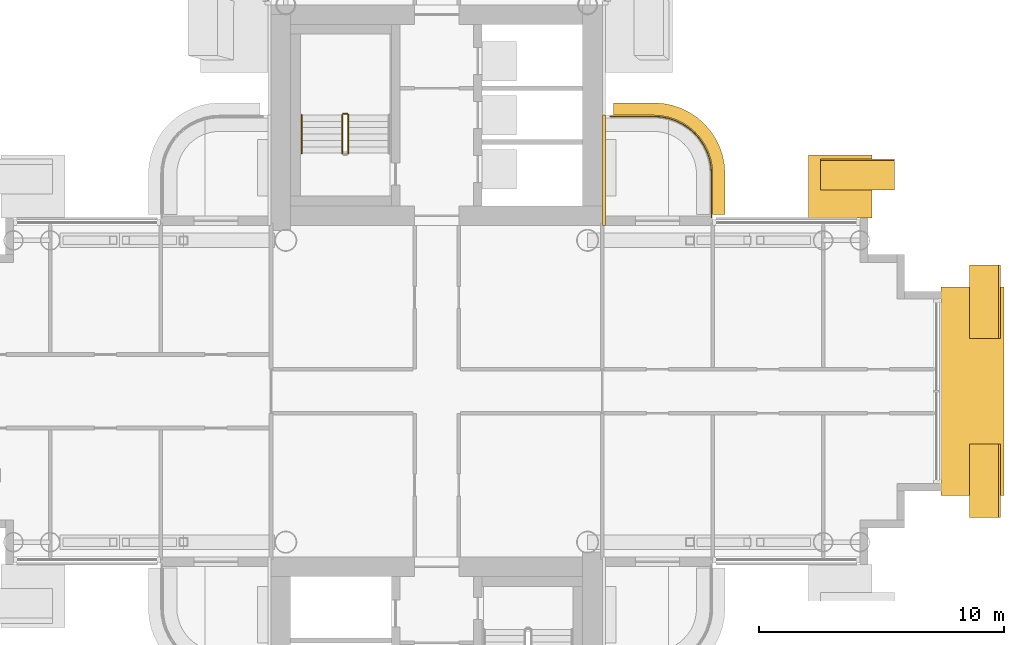
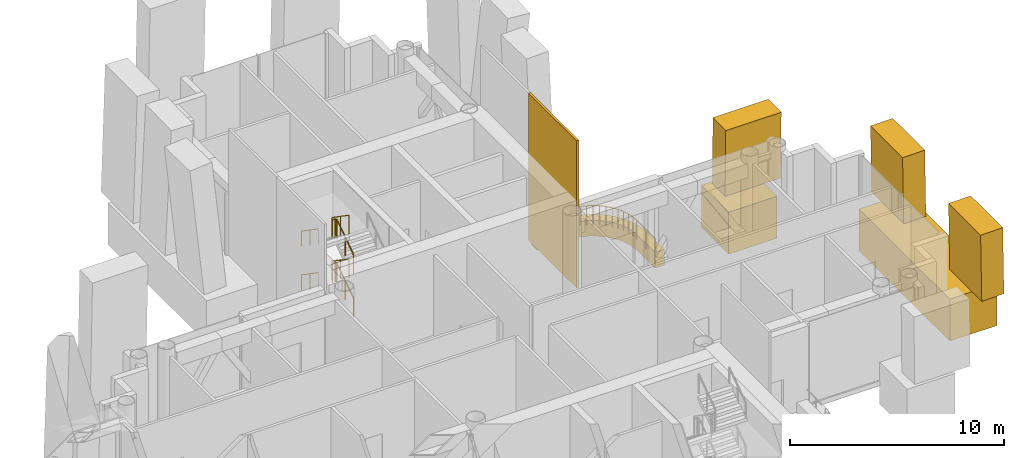
# One storey, part 31 of 34: 9 railings, 7 coverings.
"""IFC4 building model written with IfcOpenShell, lengths in metres."""

from ifc_helpers import new_model, si_unit, direction, frame, origin, origin_2d, place, context, subcontext, project, spatial, polyline, rectangle, circle, outline, extrude, material, layer, layer_set, material_profile, profile_set, type_object, element, save


model = new_model("IFC4")

# Units and contexts
model_context = context("Model", 3, precision=1e-05, world=origin(), true_north=direction((0.0, 1.0)))
body_context = subcontext(model_context, "Body", "Model", "MODEL_VIEW")
ifc_project = project(units=[si_unit("LENGTHUNIT", "METRE"), si_unit("AREAUNIT", "SQUARE_METRE"), si_unit("VOLUMEUNIT", "CUBIC_METRE"), si_unit("PLANEANGLEUNIT", "RADIAN"), si_unit("MASSUNIT", "GRAM", prefix="KILO")], contexts=[model_context])

# Site, building, storey
site_placement = place(None, origin())
site = spatial("IfcSite", under=ifc_project, at=site_placement, CompositionType="ELEMENT")
building_placement = place(site_placement, origin())
building = spatial("IfcBuilding", under=site, at=building_placement, Name="Ipe Terrace Towers", CompositionType="ELEMENT")
storey_placement = place(building_placement, frame((0.0, 0.0, 128.699951171875)))
storey = spatial("IfcBuildingStorey", under=building, at=storey_placement, Name="L35", CompositionType="ELEMENT", Elevation=128.699951171875)

# Railing
ifc_material_1 = material(Name="Stainless steel S316", Category="steel")
railing_type_1 = type_object("IfcRailingType", Name="GUARD 1100", PredefinedType="BALUSTRADE", material=ifc_material_1)
railing_1_placement = place(storey_placement, frame((47.199951171875, 7.070068359375, -0.02001953125)))
element("IfcRailing", 1, at=railing_1_placement, inside=storey, type_object=railing_type_1, Name="guard", PredefinedType="BALUSTRADE", context=body_context, shape_type="SweptSolid", body=[
    extrude(circle(Radius=0.02392578125, at=origin_2d()), frame((0.0, 0.0, 1.076171875), z_axis=(0.0, 1.0, 0.0), x_axis=(-1.0, 0.0, 0.0)), (0.0, 0.0, 1.0), 1.77783203125),
    extrude(circle(Radius=0.02392578125, at=origin_2d()), frame((0.0, 1.77783203125, 1.076171875), z_axis=(-0.064635492184, 0.99790894031, 0.0), x_axis=(-0.99790894031, -0.064635492184, 0.0)), (0.0, 0.0, 1.0), 0.309814453125),
    extrude(circle(Radius=0.02392578125, at=origin_2d()), frame((-0.02001953125, 2.0869140625, 1.076171875), z_axis=(-0.194892169718, 0.980824674538, 0.0), x_axis=(-0.980824674538, -0.194892169718, 0.0)), (0.0, 0.0, 1.0), 0.306884765625),
    extrude(circle(Radius=0.02392578125, at=origin_2d()), frame((-0.079833984375, 2.387939453125, 1.076171875), z_axis=(-0.322415209212, 0.946598348228, 0.0), x_axis=(-0.946598348228, -0.322415209212, 0.0)), (0.0, 0.0, 1.0), 0.307373046875),
    extrude(circle(Radius=0.02392578125, at=origin_2d()), frame((-0.178955078125, 2.678955078125, 1.076171875), z_axis=(-0.44212629539, 0.896952807524, 0.0), x_axis=(-0.896952807524, -0.44212629539, 0.0)), (0.0, 0.0, 1.0), 0.3076171875),
    extrude(circle(Radius=0.02392578125, at=origin_2d()), frame((-0.31494140625, 2.954833984375, 1.076171875), z_axis=(-0.555066120228, 0.831806228742, 0.0), x_axis=(-0.831806228742, -0.555066120228, 0.0)), (0.0, 0.0, 1.0), 0.307861328125),
    extrude(circle(Radius=0.02392578125, at=origin_2d()), frame((-0.48583984375, 3.2109375, 1.076171875), z_axis=(-0.658617227954, 0.752478137252, 0.0), x_axis=(-0.752478137252, -0.658617227954, 0.0)), (0.0, 0.0, 1.0), 0.306884765625),
    extrude(circle(Radius=0.02392578125, at=origin_2d()), frame((-0.68798828125, 3.44189453125, 1.076171875), z_axis=(-0.752478137252, 0.658617227954, 0.0), x_axis=(-0.658617227954, -0.752478137252, 0.0)), (0.0, 0.0, 1.0), 0.306884765625),
    extrude(circle(Radius=0.02392578125, at=origin_2d()), frame((-0.9189453125, 3.64404296875, 1.076171875), z_axis=(-0.831806228742, 0.555066120228, 0.0), x_axis=(-0.555066120228, -0.831806228742, 0.0)), (0.0, 0.0, 1.0), 0.307861328125),
    extrude(circle(Radius=0.02392578125, at=origin_2d()), frame((-1.175048828125, 3.81494140625, 1.076171875), z_axis=(-0.896952807524, 0.44212629539, 0.0), x_axis=(-0.44212629539, -0.896952807524, 0.0)), (0.0, 0.0, 1.0), 0.3076171875),
    extrude(circle(Radius=0.02392578125, at=origin_2d()), frame((-1.450927734375, 3.950927734375, 1.076171875), z_axis=(-0.946598348228, 0.322415209212, 0.0), x_axis=(-0.322415209212, -0.946598348228, 0.0)), (0.0, 0.0, 1.0), 0.307373046875),
    extrude(circle(Radius=0.02392578125, at=origin_2d()), frame((-1.741943359375, 4.050048828125, 1.076171875), z_axis=(-0.980824674538, 0.194892169718, 0.0), x_axis=(-0.194892169718, -0.980824674538, 0.0)), (0.0, 0.0, 1.0), 0.306884765625),
    extrude(circle(Radius=0.02392578125, at=origin_2d()), frame((-2.04296875, 4.10986328125, 1.076171875), z_axis=(-0.99790894031, 0.064635492184, 0.0), x_axis=(-0.064635492184, -0.99790894031, 0.0)), (0.0, 0.0, 1.0), 0.309814453125),
    extrude(circle(Radius=0.02392578125, at=origin_2d()), frame((-2.35205078125, 4.1298828125, 1.076171875), z_axis=(-1.0, 0.0, 0.0), x_axis=(0.0, -1.0, 0.0)), (0.0, 0.0, 1.0), 1.77783203125),
    extrude(circle(Radius=0.02099609375, at=origin_2d()), origin(), (0.0, 0.0, 1.0), 1.052001953125),
    extrude(circle(Radius=0.02099609375, at=origin_2d()), frame((0.0, 0.888916015625, 0.0)), (0.0, 0.0, 1.0), 1.052001953125),
    extrude(circle(Radius=0.02099609375, at=origin_2d()), frame((0.0, 1.77783203125, 0.0)), (0.0, 0.0, 1.0), 1.052001953125),
    extrude(circle(Radius=0.02099609375, at=origin_2d()), frame((-0.02001953125, 2.0869140625, 0.0)), (0.0, 0.0, 1.0), 1.052001953125),
    extrude(circle(Radius=0.02099609375, at=origin_2d()), frame((-0.079833984375, 2.387939453125, 0.0)), (0.0, 0.0, 1.0), 1.052001953125),
    extrude(circle(Radius=0.02099609375, at=origin_2d()), frame((-0.178955078125, 2.678955078125, 0.0)), (0.0, 0.0, 1.0), 1.052001953125),
    extrude(circle(Radius=0.02099609375, at=origin_2d()), frame((-0.31494140625, 2.954833984375, 0.0)), (0.0, 0.0, 1.0), 1.052001953125),
    extrude(circle(Radius=0.02099609375, at=origin_2d()), frame((-0.48583984375, 3.2109375, 0.0)), (0.0, 0.0, 1.0), 1.052001953125),
    extrude(circle(Radius=0.02099609375, at=origin_2d()), frame((-0.68798828125, 3.44189453125, 0.0)), (0.0, 0.0, 1.0), 1.052001953125),
    extrude(circle(Radius=0.02099609375, at=origin_2d()), frame((-0.9189453125, 3.64404296875, 0.0)), (0.0, 0.0, 1.0), 1.052001953125),
    extrude(circle(Radius=0.02099609375, at=origin_2d()), frame((-1.175048828125, 3.81494140625, 0.0)), (0.0, 0.0, 1.0), 1.052001953125),
    extrude(circle(Radius=0.02099609375, at=origin_2d()), frame((-1.450927734375, 3.950927734375, 0.0)), (0.0, 0.0, 1.0), 1.052001953125),
    extrude(circle(Radius=0.02099609375, at=origin_2d()), frame((-1.741943359375, 4.050048828125, 0.0)), (0.0, 0.0, 1.0), 1.052001953125),
    extrude(circle(Radius=0.02099609375, at=origin_2d()), frame((-2.04296875, 4.10986328125, 0.0)), (0.0, 0.0, 1.0), 1.052001953125),
    extrude(circle(Radius=0.02099609375, at=origin_2d()), frame((-2.35205078125, 4.1298828125, 0.0)), (0.0, 0.0, 1.0), 1.052001953125),
    extrude(circle(Radius=0.02099609375, at=origin_2d()), frame((-3.240966796875, 4.1298828125, 0.0)), (0.0, 0.0, 1.0), 1.052001953125),
    extrude(circle(Radius=0.02099609375, at=origin_2d()), frame((-4.1298828125, 4.1298828125, 0.0)), (0.0, 0.0, 1.0), 1.052001953125),
])

# Coverings
ifc_material_2 = material(Name="Concrete C50/60 precast, buff finish", Category="concrete")
ifc_layer_1 = layer(ifc_material_2, 0.1201171875)
ifc_layer_set_1 = layer_set([ifc_layer_1], Name="STONE CORE CLADDING 120")
covering_type_1 = type_object("IfcCoveringType", Name="STONE CORE CLADDING 120", PredefinedType="CLADDING", material=ifc_layer_set_1)
covering_1_placement = place(storey_placement, frame((42.81005859375, 9.0, 0.0), z_axis=(0.0, 0.0, 1.0), x_axis=(0.0, 1.0, 0.0)))
element("IfcCovering", 2, at=covering_1_placement, inside=storey, type_object=covering_type_1, Name="stone core cladding", PredefinedType="CLADDING", context=body_context, shape_type="SweptSolid", body=[
    extrude(rectangle(XDim=4.5, YDim=0.1201171875, at=origin_2d()), origin(), (0.0, 0.0, 1.0), 8.39990234375),
])
ifc_material_3 = material(Name="Concrete C50/60 precast, buff finish", Category="concrete")
ifc_layer_2 = layer(ifc_material_3, 0.5)
ifc_layer_set_2 = layer_set([ifc_layer_2], Name="STONE EDGE BAND 500 x 900")
covering_type_2 = type_object("IfcCoveringType", Name="STONE EDGE BAND 500 x 900", PredefinedType="CLADDING", material=ifc_layer_set_2)
covering_2_placement = place(storey_placement, frame((0.0, 0.0, -0.719970703125)))
element("IfcCovering", 3, at=covering_2_placement, inside=storey, type_object=covering_type_2, Name="stone edge band", PredefinedType="CLADDING", context=body_context, shape_type="SweptSolid", body=[
    extrude(outline(polyline([(47.75, 8.85009765625), (47.7490234375, 8.883056640625), (47.72802734375, 9.196044921875), (47.719970703125, 9.260986328125), (47.658935546875, 9.569091796875), (47.64208984375, 9.632080078125), (47.541015625, 9.928955078125), (47.51611328125, 9.989990234375), (47.376953125, 10.27099609375), (47.343994140625, 10.327880859375), (47.169921875, 10.589111328125), (47.1298828125, 10.64111328125), (46.923095703125, 10.876953125), (46.876953125, 10.923095703125), (46.64111328125, 11.1298828125), (46.589111328125, 11.169921875), (46.327880859375, 11.343994140625), (46.27099609375, 11.376953125), (45.989990234375, 11.51611328125), (45.928955078125, 11.541015625), (45.632080078125, 11.64208984375), (45.569091796875, 11.658935546875), (45.260986328125, 11.719970703125), (45.196044921875, 11.72802734375), (44.883056640625, 11.7490234375), (44.85009765625, 11.75), (43.199951171875, 11.75), (43.199951171875, 11.25), (44.85009765625, 11.25), (45.1630859375, 11.22900390625), (45.470947265625, 11.16796875), (45.76806640625, 11.06689453125), (46.050048828125, 10.927978515625), (46.31103515625, 10.75390625), (46.547119140625, 10.547119140625), (46.75390625, 10.31103515625), (46.927978515625, 10.050048828125), (47.06689453125, 9.76806640625), (47.16796875, 9.470947265625), (47.22900390625, 9.1630859375), (47.25, 8.85009765625), (47.25, 7.199951171875), (47.75, 7.199951171875), (47.75, 8.85009765625)])), origin(), (0.0, 0.0, 1.0), 0.89990234375),
])
ifc_material_4 = material(Name="Concrete C50/60 precast, buff finish", Category="concrete")
ifc_material_profile_1 = material_profile(ifc_material_4, rectangle(XDim=3.0, YDim=1.199951171875, at=origin_2d()), Name="STONE FIN CORNER 3000 x 1200")
ifc_profile_set_1 = profile_set([ifc_material_profile_1], Name="Concrete C50/60 precast, buff finish")
covering_type_3 = type_object("IfcCoveringType", Name="STONE FIN CORNER 3000 x 1200", PredefinedType="USERDEFINED", material=ifc_profile_set_1)
for number, where, z_axis, x_axis, name in (
    (4, (53.14990234375, 8.8701171875, 1.199951171875), (0.0, -0.017151347612, 0.999852904819), (-1.0, 0.0, 0.0), "stone fin"),
    (5, (58.3701171875, -3.64990234375, 1.199951171875), (-0.017151347612, 0.0, 0.999852904819), (0.0, 1.0, 0.0), "stone fin"),
    (6, (58.3701171875, 3.64990234375, 1.199951171875), (-0.017151347612, 0.0, 0.999852904819), (0.0, 1.0, 0.0), "stone fin"),
):
    element("IfcCovering", number, at=place(storey_placement, frame(where, z_axis=z_axis, x_axis=x_axis)), inside=storey, type_object=covering_type_3, Name=name, ObjectType="FIN", PredefinedType="USERDEFINED", context=body_context, shape_type="SweptSolid", body=[
        extrude(rectangle(XDim=3.0, YDim=1.199951171875, at=origin_2d()), origin(), (0.0, 0.0, 1.0), 3.800537109375),
    ])
ifc_material_5 = material(Name="Concrete C50/60 precast, buff finish", Category="concrete")
ifc_material_profile_2 = material_profile(ifc_material_5, rectangle(XDim=2.56005859375, YDim=2.39990234375, at=origin_2d()), Name="STONE FIN SPANDREL 2560 x 2400")
ifc_profile_set_2 = profile_set([ifc_material_profile_2], Name="Concrete C50/60 precast, buff finish")
covering_type_4 = type_object("IfcCoveringType", Name="STONE FIN SPANDREL 2560 x 2400", PredefinedType="CLADDING", material=ifc_profile_set_2)
covering_3_placement = place(storey_placement, frame((57.840087890625, -4.25, 0.0), z_axis=(0.0, 1.0, 0.0), x_axis=(1.0, 0.0, 0.0)))
element("IfcCovering", 7, at=covering_3_placement, inside=storey, type_object=covering_type_4, Name="stone fin spandrel", PredefinedType="CLADDING", context=body_context, shape_type="SweptSolid", body=[
    extrude(rectangle(XDim=2.56005859375, YDim=2.39990234375, at=origin_2d()), origin(), (0.0, 0.0, 1.0), 8.5),
])
covering_4_placement = place(storey_placement, frame((53.75, 8.340087890625, 0.0), z_axis=(-1.0, 0.0, 0.0), x_axis=(0.0, 1.0, 0.0)))
element("IfcCovering", 8, at=covering_4_placement, inside=storey, type_object=covering_type_4, Name="stone fin spandrel", PredefinedType="CLADDING", context=body_context, shape_type="SweptSolid", body=[
    extrude(rectangle(XDim=2.56005859375, YDim=2.39990234375, at=origin_2d()), origin(), (0.0, 0.0, 1.0), 2.60009765625),
])

# Railings
ifc_material_6 = material(Name="Steel S355", Category="steel")
railing_type_2 = type_object("IfcRailingType", Name="Stair guard 1100", PredefinedType="GUARDRAIL", material=ifc_material_6)
railing_2_placement = place(storey_placement, frame((32.39990234375, 9.699951171875, 0.1787109375)))
element("IfcRailing", 9, at=railing_2_placement, inside=storey, type_object=railing_type_2, Name="L35 T2-ST1 stair guard 1", PredefinedType="GUARDRAIL", context=body_context, shape_type="SweptSolid", body=[
    extrude(circle(Radius=0.02392578125, at=origin_2d()), frame((0.0, 0.0, 1.076171875), z_axis=(0.0, 0.824350458958, 0.566079783084), x_axis=(-1.0, 0.0, 0.0)), (0.0, 0.0, 1.0), 1.892578125),
    extrude(circle(Radius=0.02099609375, at=origin_2d()), origin(), (0.0, 0.0, 1.0), 1.052001953125),
    extrude(circle(Radius=0.02099609375, at=origin_2d()), frame((0.0, 0.780029296875, 0.53564453125)), (0.0, 0.0, 1.0), 1.052001953125),
    extrude(circle(Radius=0.02099609375, at=origin_2d()), frame((0.0, 1.56005859375, 1.0712890625)), (0.0, 0.0, 1.0), 1.052001953125),
])
railing_3_placement = place(storey_placement, frame((32.35009765625, 11.31005859375, 1.25)))
element("IfcRailing", 10, at=railing_3_placement, inside=storey, type_object=railing_type_2, Name="L35 T2-ST1 stair guard 2", PredefinedType="GUARDRAIL", context=body_context, shape_type="SweptSolid", body=[
    extrude(circle(Radius=0.02392578125, at=origin_2d()), frame((0.0, 0.0, 1.076171875), z_axis=(-1.0, 0.0, 0.0), x_axis=(0.0, -1.0, 0.0)), (0.0, 0.0, 1.0), 0.150146484375),
    extrude(circle(Radius=0.02099609375, at=origin_2d()), origin(), (0.0, 0.0, 1.0), 1.052001953125),
    extrude(circle(Radius=0.02099609375, at=origin_2d()), frame((-0.150146484375, 0.0, 0.0)), (0.0, 0.0, 1.0), 1.052001953125),
])
railing_4_placement = place(storey_placement, frame((32.14990234375, 11.260009765625, 1.4287109375)))
element("IfcRailing", 11, at=railing_4_placement, inside=storey, type_object=railing_type_2, Name="L35 T2-ST1 stair guard 3", PredefinedType="GUARDRAIL", context=body_context, shape_type="SweptSolid", body=[
    extrude(circle(Radius=0.02392578125, at=origin_2d()), frame((0.0, 0.0, 1.076171875), z_axis=(0.0, -0.824350458958, 0.566079783084), x_axis=(1.0, 0.0, 0.0)), (0.0, 0.0, 1.0), 1.892578125),
    extrude(circle(Radius=0.02099609375, at=origin_2d()), origin(), (0.0, 0.0, 1.0), 1.052001953125),
    extrude(circle(Radius=0.02099609375, at=origin_2d()), frame((0.0, -0.780029296875, 0.53564453125)), (0.0, 0.0, 1.0), 1.052001953125),
    extrude(circle(Radius=0.02099609375, at=origin_2d()), frame((0.0, -1.56005859375, 1.0712890625)), (0.0, 0.0, 1.0), 1.052001953125),
])
railing_5_placement = place(storey_placement, frame((32.39990234375, 9.699951171875, 2.6787109375)))
element("IfcRailing", 12, at=railing_5_placement, inside=storey, type_object=railing_type_2, Name="L35 T2-ST1 stair guard 5", PredefinedType="GUARDRAIL", context=body_context, shape_type="SweptSolid", body=[
    extrude(circle(Radius=0.02392578125, at=origin_2d()), frame((0.0, 0.0, 1.076171875), z_axis=(0.0, 0.824350458958, 0.566079783084), x_axis=(-1.0, 0.0, 0.0)), (0.0, 0.0, 1.0), 1.892578125),
    extrude(circle(Radius=0.02099609375, at=origin_2d()), origin(), (0.0, 0.0, 1.0), 1.052001953125),
    extrude(circle(Radius=0.02099609375, at=origin_2d()), frame((0.0, 0.780029296875, 0.53564453125)), (0.0, 0.0, 1.0), 1.052001953125),
    extrude(circle(Radius=0.02099609375, at=origin_2d()), frame((0.0, 1.56005859375, 1.0712890625)), (0.0, 0.0, 1.0), 1.052001953125),
])
railing_6_placement = place(storey_placement, frame((32.35009765625, 11.31005859375, 3.75)))
element("IfcRailing", 13, at=railing_6_placement, inside=storey, type_object=railing_type_2, Name="L35 T2-ST1 stair guard 6", PredefinedType="GUARDRAIL", context=body_context, shape_type="SweptSolid", body=[
    extrude(circle(Radius=0.02392578125, at=origin_2d()), frame((0.0, 0.0, 1.076171875), z_axis=(-1.0, 0.0, 0.0), x_axis=(0.0, -1.0, 0.0)), (0.0, 0.0, 1.0), 0.150146484375),
    extrude(circle(Radius=0.02099609375, at=origin_2d()), origin(), (0.0, 0.0, 1.0), 1.052001953125),
    extrude(circle(Radius=0.02099609375, at=origin_2d()), frame((-0.150146484375, 0.0, 0.0)), (0.0, 0.0, 1.0), 1.052001953125),
])
railing_7_placement = place(storey_placement, frame((32.14990234375, 11.260009765625, 3.9287109375)))
element("IfcRailing", 14, at=railing_7_placement, inside=storey, type_object=railing_type_2, Name="L35 T2-ST1 stair guard 7", PredefinedType="GUARDRAIL", context=body_context, shape_type="SweptSolid", body=[
    extrude(circle(Radius=0.02392578125, at=origin_2d()), frame((0.0, 0.0, 1.076171875), z_axis=(0.0, -0.824350458958, 0.566079783084), x_axis=(1.0, 0.0, 0.0)), (0.0, 0.0, 1.0), 1.892578125),
    extrude(circle(Radius=0.02099609375, at=origin_2d()), origin(), (0.0, 0.0, 1.0), 1.052001953125),
    extrude(circle(Radius=0.02099609375, at=origin_2d()), frame((0.0, -0.780029296875, 0.53564453125)), (0.0, 0.0, 1.0), 1.052001953125),
    extrude(circle(Radius=0.02099609375, at=origin_2d()), frame((0.0, -1.56005859375, 1.0712890625)), (0.0, 0.0, 1.0), 1.052001953125),
])
ifc_material_7 = material(Name="Stainless steel grade 304", Category="steel")
railing_type_3 = type_object("IfcRailingType", Name="Stair handrail 900", PredefinedType="HANDRAIL", material=ifc_material_7)
for number, where, name in (
    (15, (30.5, 11.260009765625, 1.4287109375), "L35 T2-ST1 stair handrail 2"),
    (16, (30.5, 11.260009765625, 3.9287109375), "L35 T2-ST1 stair handrail 4"),
):
    element("IfcRailing", number, at=place(storey_placement, frame(where)), inside=storey, type_object=railing_type_3, Name=name, PredefinedType="HANDRAIL", context=body_context, shape_type="SweptSolid", body=[
        extrude(circle(Radius=0.02392578125, at=origin_2d()), frame((0.0, 0.0, 0.8759765625), z_axis=(0.0, -0.824350458958, 0.566079783084), x_axis=(1.0, 0.0, 0.0)), (0.0, 0.0, 1.0), 1.892578125),
        extrude(circle(Radius=0.02099609375, at=origin_2d()), origin(), (0.0, 0.0, 1.0), 0.851806640625),
        extrude(circle(Radius=0.02099609375, at=origin_2d()), frame((0.0, -0.780029296875, 0.53564453125)), (0.0, 0.0, 1.0), 0.851806640625),
        extrude(circle(Radius=0.02099609375, at=origin_2d()), frame((0.0, -1.56005859375, 1.0712890625)), (0.0, 0.0, 1.0), 0.851806640625),
    ])

save(model, "model.ifc")
